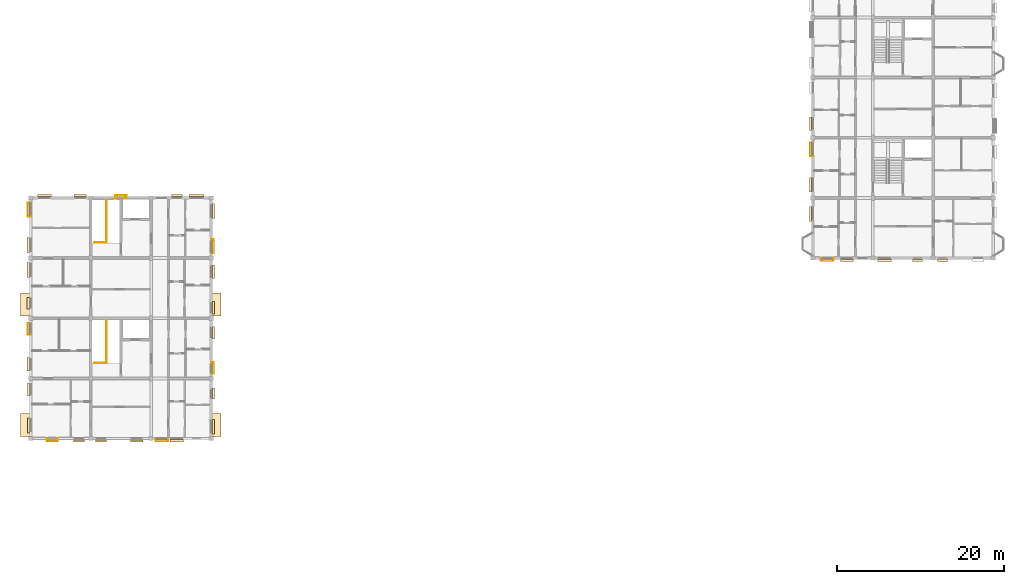
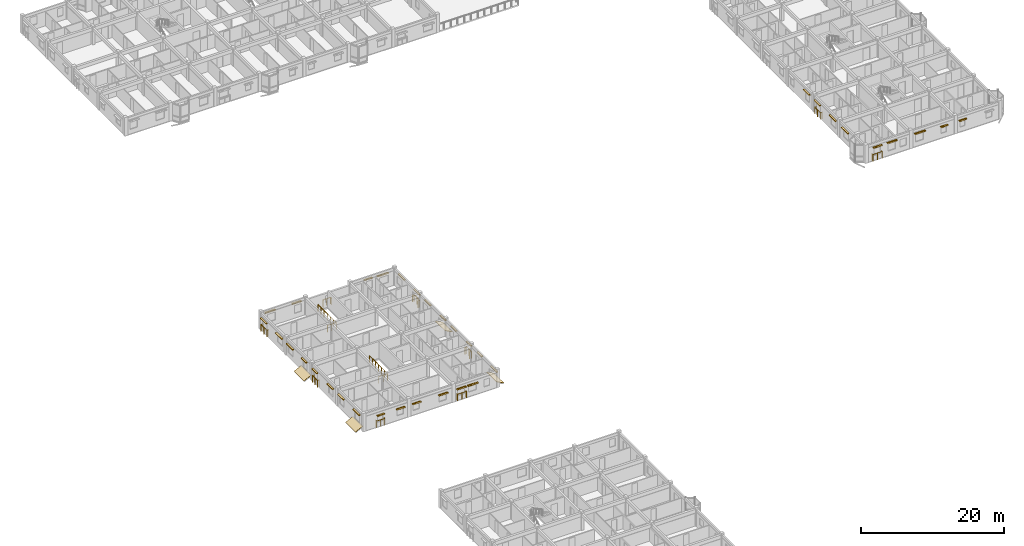
# One storey, part 60 of 64: 39 coverings, 11 railings.
"""IFC4 building model written with IfcOpenShell, lengths in metres."""

from ifc_helpers import new_model, si_unit, direction, frame, origin, origin_2d, place, context, subcontext, project, spatial, polyline, rectangle, circle, outline, extrude, material, layer, layer_set, type_object, element, save


model = new_model("IFC4")

# Units and contexts
model_context = context("Model", 3, precision=1e-05, world=origin(), true_north=direction((0.0, 1.0)))
body_context = subcontext(model_context, "Body", "Model", "MODEL_VIEW")
ifc_project = project(units=[si_unit("LENGTHUNIT", "METRE"), si_unit("AREAUNIT", "SQUARE_METRE"), si_unit("VOLUMEUNIT", "CUBIC_METRE"), si_unit("PLANEANGLEUNIT", "RADIAN"), si_unit("MASSUNIT", "GRAM", prefix="KILO"), si_unit("THERMODYNAMICTEMPERATUREUNIT", "KELVIN"), si_unit("POWERUNIT", "WATT")], contexts=[model_context])

# Site, building, storey
site_placement = place(None, origin())
site = spatial("IfcSite", under=ifc_project, at=site_placement, CompositionType="ELEMENT")
building_placement = place(site_placement, origin())
building = spatial("IfcBuilding", under=site, at=building_placement, Name="Tavuni Mirador Residences", CompositionType="ELEMENT")
storey_placement = place(building_placement, frame((0.0, 0.0, 26.550048828125)))
storey = spatial("IfcBuildingStorey", under=building, at=storey_placement, Name="L08", CompositionType="ELEMENT", Elevation=26.550048828125)

# Coverings
ifc_material_1 = material(Name="Natural coral limestone", Category="masonry")
ifc_layer_1 = layer(ifc_material_1, 0.054931640625, Name="Natural coral limestone", Category="masonry")
ifc_layer_set_1 = layer_set([ifc_layer_1], Name="Natural coral limestone")
covering_type_1 = type_object("IfcCoveringType", Name="CVT-CLAD-CORAL", PredefinedType="CLADDING", material=ifc_layer_set_1)
covering_1_placement = place(storey_placement, frame((6.18505859375, 64.5205078125, 1.955078125), z_axis=(0.0, 0.0, 1.0), x_axis=(1.0, 0.0, 0.0)))
element("IfcCovering", 1, at=covering_1_placement, inside=storey, type_object=covering_type_1, Name="HOOD-0447", PredefinedType="CLADDING", context=body_context, shape_type="SweptSolid", body=[
    extrude(rectangle(XDim=1.18994140625, YDim=0.25, at=origin_2d()), origin(), (0.0, 0.0, 1.0), 0.14990234375),
])
for number, where, z_axis, x_axis, name in (
    (2, (9.39501953125, 64.5205078125, 1.955078125), (0.0, 0.0, 1.0), (1.0, 0.0, 0.0), "HOOD-0448"),
    (3, (12.0, 64.525390625, 1.955078125), (0.0, 0.0, 1.0), (1.0, 0.0, 0.0), "HOOD-0450"),
):
    element("IfcCovering", number, at=place(storey_placement, frame(where, z_axis=z_axis, x_axis=x_axis)), inside=storey, type_object=covering_type_1, Name=name, PredefinedType="CLADDING", context=body_context, shape_type="SweptSolid", body=[
        extrude(rectangle(XDim=1.340087890625, YDim=0.25, at=origin_2d()), origin(), (0.0, 0.0, 1.0), 0.14990234375),
    ])
for number, where, z_axis, x_axis, name in (
    (4, (16.280029296875, 64.525390625, 1.955078125), (0.0, 0.0, 1.0), (1.0, 0.0, 0.0), "HOOD-0451"),
    (5, (19.2451171875, 64.532958984375, 1.955078125), (0.0, 0.0, 1.0), (1.0, 0.0, 0.0), "HOOD-0453"),
):
    element("IfcCovering", number, at=place(storey_placement, frame(where, z_axis=z_axis, x_axis=x_axis)), inside=storey, type_object=covering_type_1, Name=name, PredefinedType="CLADDING", context=body_context, shape_type="SweptSolid", body=[
        extrude(rectangle(XDim=1.5, YDim=0.25, at=origin_2d()), origin(), (0.0, 0.0, 1.0), 0.14990234375),
    ])
covering_2_placement = place(storey_placement, frame((21.070068359375, 64.532958984375, 1.955078125), z_axis=(0.0, 0.0, 1.0), x_axis=(1.0, 0.0, 0.0)))
element("IfcCovering", 6, at=covering_2_placement, inside=storey, type_object=covering_type_1, Name="HOOD-0454", PredefinedType="CLADDING", context=body_context, shape_type="SweptSolid", body=[
    extrude(rectangle(XDim=1.659912109375, YDim=0.25, at=origin_2d()), origin(), (0.0, 0.0, 1.0), 0.14990234375),
])
covering_3_placement = place(storey_placement, frame((25.4794921875, 66.199951171875, 1.955078125), z_axis=(0.0, 0.0, 1.0), x_axis=(0.0, 1.0, 0.0)))
element("IfcCovering", 7, at=covering_3_placement, inside=storey, type_object=covering_type_1, Name="HOOD-0456", PredefinedType="CLADDING", context=body_context, shape_type="SweptSolid", body=[
    extrude(rectangle(XDim=1.739990234375, YDim=0.25, at=origin_2d()), origin(), (0.0, 0.0, 1.0), 0.14990234375),
])
for number, where, z_axis, x_axis, name in (
    (8, (25.4794921875, 70.179931640625, 2.06494140625), (0.0, 0.0, 1.0), (0.0, 1.0, 0.0), "HOOD-0457"),
    (9, (25.474609375, 73.179931640625, 2.06494140625), (0.0, 0.0, 1.0), (0.0, 1.0, 0.0), "HOOD-0459"),
):
    element("IfcCovering", number, at=place(storey_placement, frame(where, z_axis=z_axis, x_axis=x_axis)), inside=storey, type_object=covering_type_1, Name=name, PredefinedType="CLADDING", context=body_context, shape_type="SweptSolid", body=[
        extrude(rectangle(XDim=1.300048828125, YDim=0.25, at=origin_2d()), origin(), (0.0, 0.0, 1.0), 0.14990234375),
    ])
for number, where, z_axis, x_axis, name in (
    (10, (25.474609375, 77.4599609375, 2.06494140625), (0.0, 0.0, 1.0), (0.0, 1.0, 0.0), "HOOD-0460"),
    (11, (25.467041015625, 80.4599609375, 2.06494140625), (0.0, 0.0, 1.0), (0.0, 1.0, 0.0), "HOOD-0462"),
):
    element("IfcCovering", number, at=place(storey_placement, frame(where, z_axis=z_axis, x_axis=x_axis)), inside=storey, type_object=covering_type_1, Name=name, PredefinedType="CLADDING", context=body_context, shape_type="SweptSolid", body=[
        extrude(rectangle(XDim=1.4599609375, YDim=0.25, at=origin_2d()), origin(), (0.0, 0.0, 1.0), 0.14990234375),
    ])
for number, where, z_axis, x_axis, name in (
    (12, (25.467041015625, 84.739990234375, 2.06494140625), (0.0, 0.0, 1.0), (0.0, 1.0, 0.0), "HOOD-0463"),
    (13, (25.45947265625, 87.739990234375, 2.06494140625), (0.0, 0.0, 1.0), (0.0, 1.0, 0.0), "HOOD-0465"),
):
    element("IfcCovering", number, at=place(storey_placement, frame(where, z_axis=z_axis, x_axis=x_axis)), inside=storey, type_object=covering_type_1, Name=name, PredefinedType="CLADDING", context=body_context, shape_type="SweptSolid", body=[
        extrude(rectangle(XDim=1.6201171875, YDim=0.25, at=origin_2d()), origin(), (0.0, 0.0, 1.0), 0.14990234375),
    ])
for number, where, z_axis, x_axis, name in (
    (14, (25.45947265625, 92.02001953125, 2.06494140625), (0.0, 0.0, 1.0), (0.0, 1.0, 0.0), "HOOD-0466"),
    (15, (23.445068359375, 93.866943359375, 2.06494140625), (0.0, 0.0, 1.0), (-1.0, 0.0, 0.0), "HOOD-0468"),
):
    element("IfcCovering", number, at=place(storey_placement, frame(where, z_axis=z_axis, x_axis=x_axis)), inside=storey, type_object=covering_type_1, Name=name, PredefinedType="CLADDING", context=body_context, shape_type="SweptSolid", body=[
        extrude(rectangle(XDim=1.780029296875, YDim=0.25, at=origin_2d()), origin(), (0.0, 0.0, 1.0), 0.14990234375),
    ])
covering_4_placement = place(storey_placement, frame((21.090087890625, 93.866943359375, 2.1650390625), z_axis=(0.0, 0.0, 1.0), x_axis=(-1.0, 0.0, 0.0)))
element("IfcCovering", 16, at=covering_4_placement, inside=storey, type_object=covering_type_1, Name="HOOD-0469", PredefinedType="CLADDING", context=body_context, shape_type="SweptSolid", body=[
    extrude(rectangle(XDim=1.320068359375, YDim=0.25, at=origin_2d()), origin(), (0.0, 0.0, 1.0), 0.14990234375),
])
covering_5_placement = place(storey_placement, frame((9.530029296875, 93.87939453125, 2.1650390625), z_axis=(0.0, 0.0, 1.0), x_axis=(-1.0, 0.0, 0.0)))
element("IfcCovering", 17, at=covering_5_placement, inside=storey, type_object=covering_type_1, Name="HOOD-0472", PredefinedType="CLADDING", context=body_context, shape_type="SweptSolid", body=[
    extrude(rectangle(XDim=1.47998046875, YDim=0.25, at=origin_2d()), origin(), (0.0, 0.0, 1.0), 0.14990234375),
])
for number, where, z_axis, x_axis, name in (
    (18, (5.25, 93.87939453125, 2.1650390625), (0.0, 0.0, 1.0), (-1.0, 0.0, 0.0), "HOOD-0473"),
    (19, (3.305419921875, 92.25, 2.1650390625), (0.0, 0.0, 1.0), (0.0, -1.0, 0.0), "HOOD-0475"),
):
    element("IfcCovering", number, at=place(storey_placement, frame(where, z_axis=z_axis, x_axis=x_axis)), inside=storey, type_object=covering_type_1, Name=name, PredefinedType="CLADDING", context=body_context, shape_type="SweptSolid", body=[
        extrude(rectangle(XDim=1.639892578125, YDim=0.25, at=origin_2d()), origin(), (0.0, 0.0, 1.0), 0.14990234375),
    ])
for number, where, z_axis, x_axis, name in (
    (20, (3.305419921875, 87.969970703125, 2.1650390625), (0.0, 0.0, 1.0), (0.0, -1.0, 0.0), "HOOD-0476"),
    (21, (3.305419921875, 84.969970703125, 2.1650390625), (0.0, 0.0, 1.0), (0.0, -1.0, 0.0), "HOOD-0478"),
):
    element("IfcCovering", number, at=place(storey_placement, frame(where, z_axis=z_axis, x_axis=x_axis)), inside=storey, type_object=covering_type_1, Name=name, PredefinedType="CLADDING", context=body_context, shape_type="SweptSolid", body=[
        extrude(rectangle(XDim=1.800048828125, YDim=0.25, at=origin_2d()), origin(), (0.0, 0.0, 1.0), 0.14990234375),
    ])
for number, where, z_axis, x_axis, name in (
    (22, (3.305419921875, 80.97509765625, 2.2451171875), (0.0, 0.0, 1.0), (0.0, -1.0, 0.0), "HOOD-0479"),
    (23, (3.305419921875, 77.97509765625, 2.2451171875), (0.0, 0.0, 1.0), (0.0, -1.0, 0.0), "HOOD-0481"),
):
    element("IfcCovering", number, at=place(storey_placement, frame(where, z_axis=z_axis, x_axis=x_axis)), inside=storey, type_object=covering_type_1, Name=name, PredefinedType="CLADDING", context=body_context, shape_type="SweptSolid", body=[
        extrude(rectangle(XDim=1.389892578125, YDim=0.25, at=origin_2d()), origin(), (0.0, 0.0, 1.0), 0.14990234375),
    ])
for number, where, z_axis, x_axis, name in (
    (24, (3.305419921875, 73.675048828125, 2.2451171875), (0.0, 0.0, 1.0), (0.0, -1.0, 0.0), "HOOD-0482"),
    (25, (3.320556640625, 70.675048828125, 2.2451171875), (0.0, 0.0, 1.0), (0.0, -1.0, 0.0), "HOOD-0484"),
):
    element("IfcCovering", number, at=place(storey_placement, frame(where, z_axis=z_axis, x_axis=x_axis)), inside=storey, type_object=covering_type_1, Name=name, PredefinedType="CLADDING", context=body_context, shape_type="SweptSolid", body=[
        extrude(rectangle(XDim=1.590087890625, YDim=0.25, at=origin_2d()), origin(), (0.0, 0.0, 1.0), 0.14990234375),
    ])
covering_6_placement = place(storey_placement, frame((3.320556640625, 66.375, 2.2451171875), z_axis=(0.0, 0.0, 1.0), x_axis=(0.0, -1.0, 0.0)))
element("IfcCovering", 26, at=covering_6_placement, inside=storey, type_object=covering_type_1, Name="HOOD-0485", PredefinedType="CLADDING", context=body_context, shape_type="SweptSolid", body=[
    extrude(rectangle(XDim=1.7900390625, YDim=0.25, at=origin_2d()), origin(), (0.0, 0.0, 1.0), 0.14990234375),
])
covering_7_placement = place(storey_placement, frame((98.93505859375, 86.12060546875, 2.2451171875), z_axis=(0.0, 0.0, 1.0), x_axis=(1.0, 0.0, 0.0)))
element("IfcCovering", 27, at=covering_7_placement, inside=storey, type_object=covering_type_1, Name="HOOD-1038", PredefinedType="CLADDING", context=body_context, shape_type="SweptSolid", body=[
    extrude(rectangle(XDim=1.389892578125, YDim=0.25, at=origin_2d()), origin(), (0.0, 0.0, 1.0), 0.14990234375),
])
covering_8_placement = place(storey_placement, frame((101.2900390625, 86.12060546875, 2.2451171875), z_axis=(0.0, 0.0, 1.0), x_axis=(1.0, 0.0, 0.0)))
element("IfcCovering", 28, at=covering_8_placement, inside=storey, type_object=covering_type_1, Name="HOOD-1039", PredefinedType="CLADDING", context=body_context, shape_type="SweptSolid", body=[
    extrude(rectangle(XDim=1.590087890625, YDim=0.25, at=origin_2d()), origin(), (0.0, 0.0, 1.0), 0.14990234375),
])
covering_9_placement = place(storey_placement, frame((105.77490234375, 86.12548828125, 2.2451171875), z_axis=(0.0, 0.0, 1.0), x_axis=(1.0, 0.0, 0.0)))
element("IfcCovering", 29, at=covering_9_placement, inside=storey, type_object=covering_type_1, Name="HOOD-1040", PredefinedType="CLADDING", context=body_context, shape_type="SweptSolid", body=[
    extrude(rectangle(XDim=1.68994140625, YDim=0.25, at=origin_2d()), origin(), (0.0, 0.0, 1.0), 0.14990234375),
])
for number, where, z_axis, x_axis, name in (
    (30, (109.72509765625, 86.12548828125, 1.955078125), (0.0, 0.0, 1.0), (1.0, 0.0, 0.0), "HOOD-1041"),
    (31, (112.72509765625, 86.133056640625, 1.955078125), (0.0, 0.0, 1.0), (1.0, 0.0, 0.0), "HOOD-1042"),
):
    element("IfcCovering", number, at=place(storey_placement, frame(where, z_axis=z_axis, x_axis=x_axis)), inside=storey, type_object=covering_type_1, Name=name, PredefinedType="CLADDING", context=body_context, shape_type="SweptSolid", body=[
        extrude(rectangle(XDim=1.18994140625, YDim=0.25, at=origin_2d()), origin(), (0.0, 0.0, 1.0), 0.14990234375),
    ])
for number, where, z_axis, x_axis, name in (
    (32, (96.93310546875, 102.47509765625, 2.2451171875), (0.0, 0.0, 1.0), (0.0, -1.0, 0.0), "HOOD-1067"),
    (33, (96.925537109375, 99.47509765625, 2.2451171875), (0.0, 0.0, 1.0), (0.0, -1.0, 0.0), "HOOD-1068"),
):
    element("IfcCovering", number, at=place(storey_placement, frame(where, z_axis=z_axis, x_axis=x_axis)), inside=storey, type_object=covering_type_1, Name=name, PredefinedType="CLADDING", context=body_context, shape_type="SweptSolid", body=[
        extrude(rectangle(XDim=1.590087890625, YDim=0.25, at=origin_2d()), origin(), (0.0, 0.0, 1.0), 0.14990234375),
    ])
covering_10_placement = place(storey_placement, frame((96.925537109375, 95.175048828125, 2.2451171875), z_axis=(0.0, 0.0, 1.0), x_axis=(0.0, -1.0, 0.0)))
element("IfcCovering", 34, at=covering_10_placement, inside=storey, type_object=covering_type_1, Name="HOOD-1069", PredefinedType="CLADDING", context=body_context, shape_type="SweptSolid", body=[
    extrude(rectangle(XDim=1.7900390625, YDim=0.25, at=origin_2d()), origin(), (0.0, 0.0, 1.0), 0.14990234375),
])
covering_11_placement = place(storey_placement, frame((96.91552734375, 91.68994140625, 2.240234375), z_axis=(0.0, 0.0, 1.0), x_axis=(0.0, -1.0, 0.0)))
element("IfcCovering", 35, at=covering_11_placement, inside=storey, type_object=covering_type_1, Name="HOOD-1070", PredefinedType="CLADDING", context=body_context, shape_type="SweptSolid", body=[
    extrude(rectangle(XDim=1.81005859375, YDim=0.260009765625, at=origin_2d()), origin(), (0.0, 0.0, 1.0), 0.159912109375),
])
ifc_material_2 = material(Name="Glazed ceramic roof tile", Category="masonry")
ifc_layer_2 = layer(ifc_material_2, 0.044921875, Name="Glazed ceramic roof tile", Category="masonry")
ifc_layer_set_2 = layer_set([ifc_layer_2], Name="Glazed ceramic roof tile")
covering_type_2 = type_object("IfcCoveringType", Name="CVT-ROOF-TILE", PredefinedType="ROOFING", material=ifc_layer_set_2)
for number, where, z_axis, x_axis, name in (
    (36, (3.60009765625, 65.050048828125, 0.6650390625), (-0.459029561359, 0.0, 0.88842099356), (0.0, 1.0, 0.0), "COV-RF-MIR-B-W1"),
    (37, (3.60009765625, 79.449951171875, 0.6650390625), (-0.459029561359, 0.0, 0.88842099356), (0.0, 1.0, 0.0), "COV-RF-MIR-B-W2"),
):
    element("IfcCovering", number, at=place(storey_placement, frame(where, z_axis=z_axis, x_axis=x_axis)), inside=storey, type_object=covering_type_2, Name=name, PredefinedType="ROOFING", context=body_context, shape_type="SweptSolid", body=[
        extrude(outline(polyline([(0.0, 0.0), (2.77001953125, 0.0), (2.77001953125, 1.3509308325668945), (0.0, 1.3509308325668945), (0.0, 0.0)])), origin(), (0.0, 0.0, -1.0), 0.044921875),
    ])
for number, where, z_axis, x_axis, name in (
    (38, (25.199951171875, 65.050048828125, 0.6650390625), (0.45910327143, 0.0, 0.88838290515), (0.0, 1.0, 0.0), "COV-RF-MIR-B-E1"),
    (39, (25.199951171875, 79.449951171875, 0.6650390625), (0.45910327143, 0.0, 0.88838290515), (0.0, 1.0, 0.0), "COV-RF-MIR-B-E2"),
):
    element("IfcCovering", number, at=place(storey_placement, frame(where, z_axis=z_axis, x_axis=x_axis)), inside=storey, type_object=covering_type_2, Name=name, PredefinedType="ROOFING", context=body_context, shape_type="SweptSolid", body=[
        extrude(outline(polyline([(0.0, 0.0), (2.77001953125, 0.0), (2.77001953125, -1.3507139375593544), (0.0, -1.3507139375593544), (0.0, 0.0)])), origin(), (0.0, 0.0, -1.0), 0.044921875),
    ])

# Railings
ifc_material_3 = material(Name="Structural steel S355", Category="steel")
railing_type_1 = type_object("IfcRailingType", Name="RT-BL1150", PredefinedType="BALUSTRADE", material=ifc_material_3)
railing_1_placement = place(storey_placement, frame((5.5400390625, 64.800048828125, 0.0400390625)))
element("IfcRailing", 40, at=railing_1_placement, inside=storey, type_object=railing_type_1, Name="BALC-BLK-B-L08-S00", PredefinedType="BALUSTRADE", context=body_context, shape_type="SweptSolid", body=[
    extrude(circle(Radius=0.02392578125, at=origin_2d()), frame((0.0, 0.0, 1.1259765625), z_axis=(0.0, -1.0, 0.0), x_axis=(1.0, 0.0, 0.0)), (0.0, 0.0, 1.0), 0.297607421875),
    extrude(circle(Radius=0.02392578125, at=origin_2d()), frame((0.0, -0.297607421875, 1.1259765625), z_axis=(1.0, 0.0, 0.0), x_axis=(0.0, 1.0, 0.0)), (0.0, 0.0, 1.0), 1.2900390625),
    extrude(circle(Radius=0.02392578125, at=origin_2d()), frame((1.2900390625, -0.297607421875, 1.1259765625), z_axis=(0.0, 1.0, 0.0), x_axis=(-1.0, 0.0, 0.0)), (0.0, 0.0, 1.0), 0.297607421875),
    extrude(circle(Radius=0.02099609375, at=origin_2d()), origin(), (0.0, 0.0, 1.0), 1.101806640625),
    extrude(circle(Radius=0.02099609375, at=origin_2d()), frame((0.0, -0.297607421875, 0.0)), (0.0, 0.0, 1.0), 1.101806640625),
    extrude(circle(Radius=0.02099609375, at=origin_2d()), frame((0.64501953125, -0.297607421875, 0.0)), (0.0, 0.0, 1.0), 1.101806640625),
    extrude(circle(Radius=0.02099609375, at=origin_2d()), frame((1.2900390625, -0.297607421875, 0.0)), (0.0, 0.0, 1.0), 1.101806640625),
    extrude(circle(Radius=0.02099609375, at=origin_2d()), frame((1.2900390625, 0.0, 0.0)), (0.0, 0.0, 1.0), 1.101806640625),
])
railing_2_placement = place(storey_placement, frame((18.60009765625, 64.800048828125, 0.0400390625)))
element("IfcRailing", 41, at=railing_2_placement, inside=storey, type_object=railing_type_1, Name="BALC-BLK-B-L08-S02", PredefinedType="BALUSTRADE", context=body_context, shape_type="SweptSolid", body=[
    extrude(circle(Radius=0.02392578125, at=origin_2d()), frame((0.0, 0.0, 1.1259765625), z_axis=(0.0, -1.0, 0.0), x_axis=(1.0, 0.0, 0.0)), (0.0, 0.0, 1.0), 0.28515625),
    extrude(circle(Radius=0.02392578125, at=origin_2d()), frame((0.0, -0.28515625, 1.1259765625), z_axis=(1.0, 0.0, 0.0), x_axis=(0.0, 1.0, 0.0)), (0.0, 0.0, 1.0), 1.44482421875),
    extrude(circle(Radius=0.02392578125, at=origin_2d()), frame((1.44482421875, -0.28515625, 1.1259765625), z_axis=(0.0, 1.0, 0.0), x_axis=(-1.0, 0.0, 0.0)), (0.0, 0.0, 1.0), 0.28515625),
    extrude(circle(Radius=0.02099609375, at=origin_2d()), origin(), (0.0, 0.0, 1.0), 1.101806640625),
    extrude(circle(Radius=0.02099609375, at=origin_2d()), frame((0.0, -0.28515625, 0.0)), (0.0, 0.0, 1.0), 1.101806640625),
    extrude(circle(Radius=0.02099609375, at=origin_2d()), frame((0.722412109375, -0.28515625, 0.0)), (0.0, 0.0, 1.0), 1.101806640625),
    extrude(circle(Radius=0.02099609375, at=origin_2d()), frame((1.44482421875, -0.28515625, 0.0)), (0.0, 0.0, 1.0), 1.101806640625),
    extrude(circle(Radius=0.02099609375, at=origin_2d()), frame((1.44482421875, 0.0, 0.0)), (0.0, 0.0, 1.0), 1.101806640625),
])
railing_3_placement = place(storey_placement, frame((25.199951171875, 72.60009765625, 0.0400390625)))
element("IfcRailing", 42, at=railing_3_placement, inside=storey, type_object=railing_type_1, Name="BALC-BLK-B-L08-E01", PredefinedType="BALUSTRADE", context=body_context, shape_type="SweptSolid", body=[
    extrude(circle(Radius=0.02392578125, at=origin_2d()), frame((0.0, 0.0, 1.1259765625), z_axis=(1.0, 0.0, 0.0), x_axis=(0.0, 1.0, 0.0)), (0.0, 0.0, 1.0), 0.29248046875),
    extrude(circle(Radius=0.02392578125, at=origin_2d()), frame((0.29248046875, 0.0, 1.1259765625), z_axis=(0.0, 1.0, 0.0), x_axis=(-1.0, 0.0, 0.0)), (0.0, 0.0, 1.0), 1.27978515625),
    extrude(circle(Radius=0.02392578125, at=origin_2d()), frame((0.29248046875, 1.27978515625, 1.1259765625), z_axis=(-1.0, 0.0, 0.0), x_axis=(0.0, -1.0, 0.0)), (0.0, 0.0, 1.0), 0.29248046875),
    extrude(circle(Radius=0.02099609375, at=origin_2d()), origin(), (0.0, 0.0, 1.0), 1.101806640625),
    extrude(circle(Radius=0.02099609375, at=origin_2d()), frame((0.29248046875, 0.0, 0.0)), (0.0, 0.0, 1.0), 1.101806640625),
    extrude(circle(Radius=0.02099609375, at=origin_2d()), frame((0.29248046875, 0.639892578125, 0.0)), (0.0, 0.0, 1.0), 1.101806640625),
    extrude(circle(Radius=0.02099609375, at=origin_2d()), frame((0.29248046875, 1.27978515625, 0.0)), (0.0, 0.0, 1.0), 1.101806640625),
    extrude(circle(Radius=0.02099609375, at=origin_2d()), frame((0.0, 1.27978515625, 0.0)), (0.0, 0.0, 1.0), 1.101806640625),
])
railing_4_placement = place(storey_placement, frame((25.199951171875, 87.0, 0.0400390625)))
element("IfcRailing", 43, at=railing_4_placement, inside=storey, type_object=railing_type_1, Name="BALC-BLK-B-L08-E03", PredefinedType="BALUSTRADE", context=body_context, shape_type="SweptSolid", body=[
    extrude(circle(Radius=0.02392578125, at=origin_2d()), frame((0.0, 0.0, 1.1259765625), z_axis=(1.0, 0.0, 0.0), x_axis=(0.0, 1.0, 0.0)), (0.0, 0.0, 1.0), 0.277587890625),
    extrude(circle(Radius=0.02392578125, at=origin_2d()), frame((0.277587890625, 0.0, 1.1259765625), z_axis=(0.0, 1.0, 0.0), x_axis=(-1.0, 0.0, 0.0)), (0.0, 0.0, 1.0), 1.60009765625),
    extrude(circle(Radius=0.02392578125, at=origin_2d()), frame((0.277587890625, 1.60009765625, 1.1259765625), z_axis=(-1.0, 0.0, 0.0), x_axis=(0.0, -1.0, 0.0)), (0.0, 0.0, 1.0), 0.277587890625),
    extrude(circle(Radius=0.02099609375, at=origin_2d()), origin(), (0.0, 0.0, 1.0), 1.101806640625),
    extrude(circle(Radius=0.02099609375, at=origin_2d()), frame((0.277587890625, 0.0, 0.0)), (0.0, 0.0, 1.0), 1.101806640625),
    extrude(circle(Radius=0.02099609375, at=origin_2d()), frame((0.277587890625, 0.800048828125, 0.0)), (0.0, 0.0, 1.0), 1.101806640625),
    extrude(circle(Radius=0.02099609375, at=origin_2d()), frame((0.277587890625, 1.60009765625, 0.0)), (0.0, 0.0, 1.0), 1.101806640625),
    extrude(circle(Radius=0.02099609375, at=origin_2d()), frame((0.0, 1.60009765625, 0.0)), (0.0, 0.0, 1.0), 1.101806640625),
])
railing_5_placement = place(storey_placement, frame((15.044921875, 93.60009765625, 0.0400390625)))
element("IfcRailing", 44, at=railing_5_placement, inside=storey, type_object=railing_type_1, Name="BALC-BLK-B-L08-N01", PredefinedType="BALUSTRADE", context=body_context, shape_type="SweptSolid", body=[
    extrude(circle(Radius=0.02392578125, at=origin_2d()), frame((0.0, 0.0, 1.1259765625), z_axis=(0.0, 1.0, 0.0), x_axis=(-1.0, 0.0, 0.0)), (0.0, 0.0, 1.0), 0.29248046875),
    extrude(circle(Radius=0.02392578125, at=origin_2d()), frame((0.0, 0.29248046875, 1.1259765625), z_axis=(-1.0, 0.0, 0.0), x_axis=(0.0, -1.0, 0.0)), (0.0, 0.0, 1.0), 1.2900390625),
    extrude(circle(Radius=0.02392578125, at=origin_2d()), frame((-1.2900390625, 0.29248046875, 1.1259765625), z_axis=(0.0, -1.0, 0.0), x_axis=(1.0, 0.0, 0.0)), (0.0, 0.0, 1.0), 0.29248046875),
    extrude(circle(Radius=0.02099609375, at=origin_2d()), origin(), (0.0, 0.0, 1.0), 1.101806640625),
    extrude(circle(Radius=0.02099609375, at=origin_2d()), frame((0.0, 0.29248046875, 0.0)), (0.0, 0.0, 1.0), 1.101806640625),
    extrude(circle(Radius=0.02099609375, at=origin_2d()), frame((-0.64501953125, 0.29248046875, 0.0)), (0.0, 0.0, 1.0), 1.101806640625),
    extrude(circle(Radius=0.02099609375, at=origin_2d()), frame((-1.2900390625, 0.29248046875, 0.0)), (0.0, 0.0, 1.0), 1.101806640625),
    extrude(circle(Radius=0.02099609375, at=origin_2d()), frame((-1.2900390625, 0.0, 0.0)), (0.0, 0.0, 1.0), 1.101806640625),
])
railing_6_placement = place(storey_placement, frame((3.60009765625, 93.0, 0.0400390625)))
element("IfcRailing", 45, at=railing_6_placement, inside=storey, type_object=railing_type_1, Name="BALC-BLK-B-L08-W03", PredefinedType="BALUSTRADE", context=body_context, shape_type="SweptSolid", body=[
    extrude(circle(Radius=0.02392578125, at=origin_2d()), frame((0.0, 0.0, 1.1259765625), z_axis=(-1.0, 0.0, 0.0), x_axis=(0.0, -1.0, 0.0)), (0.0, 0.0, 1.0), 0.3125),
    extrude(circle(Radius=0.02392578125, at=origin_2d()), frame((-0.3125, 0.0, 1.1259765625), z_axis=(0.0, -1.0, 0.0), x_axis=(1.0, 0.0, 0.0)), (0.0, 0.0, 1.0), 1.6201171875),
    extrude(circle(Radius=0.02392578125, at=origin_2d()), frame((-0.3125, -1.6201171875, 1.1259765625), z_axis=(1.0, 0.0, 0.0), x_axis=(0.0, 1.0, 0.0)), (0.0, 0.0, 1.0), 0.3125),
    extrude(circle(Radius=0.02099609375, at=origin_2d()), origin(), (0.0, 0.0, 1.0), 1.101806640625),
    extrude(circle(Radius=0.02099609375, at=origin_2d()), frame((-0.3125, 0.0, 0.0)), (0.0, 0.0, 1.0), 1.101806640625),
    extrude(circle(Radius=0.02099609375, at=origin_2d()), frame((-0.3125, -0.81005859375, 0.0)), (0.0, 0.0, 1.0), 1.101806640625),
    extrude(circle(Radius=0.02099609375, at=origin_2d()), frame((-0.3125, -1.6201171875, 0.0)), (0.0, 0.0, 1.0), 1.101806640625),
    extrude(circle(Radius=0.02099609375, at=origin_2d()), frame((0.0, -1.6201171875, 0.0)), (0.0, 0.0, 1.0), 1.101806640625),
])
railing_7_placement = place(storey_placement, frame((3.60009765625, 78.60009765625, 0.0400390625)))
element("IfcRailing", 46, at=railing_7_placement, inside=storey, type_object=railing_type_1, Name="BALC-BLK-B-L08-W01", PredefinedType="BALUSTRADE", context=body_context, shape_type="SweptSolid", body=[
    extrude(circle(Radius=0.02392578125, at=origin_2d()), frame((0.0, 0.0, 1.1259765625), z_axis=(-1.0, 0.0, 0.0), x_axis=(0.0, -1.0, 0.0)), (0.0, 0.0, 1.0), 0.3125),
    extrude(circle(Radius=0.02392578125, at=origin_2d()), frame((-0.3125, 0.0, 1.1259765625), z_axis=(0.0, -1.0, 0.0), x_axis=(1.0, 0.0, 0.0)), (0.0, 0.0, 1.0), 1.3701171875),
    extrude(circle(Radius=0.02392578125, at=origin_2d()), frame((-0.3125, -1.3701171875, 1.1259765625), z_axis=(1.0, 0.0, 0.0), x_axis=(0.0, 1.0, 0.0)), (0.0, 0.0, 1.0), 0.3125),
    extrude(circle(Radius=0.02099609375, at=origin_2d()), origin(), (0.0, 0.0, 1.0), 1.101806640625),
    extrude(circle(Radius=0.02099609375, at=origin_2d()), frame((-0.3125, 0.0, 0.0)), (0.0, 0.0, 1.0), 1.101806640625),
    extrude(circle(Radius=0.02099609375, at=origin_2d()), frame((-0.3125, -0.68505859375, 0.0)), (0.0, 0.0, 1.0), 1.101806640625),
    extrude(circle(Radius=0.02099609375, at=origin_2d()), frame((-0.3125, -1.3701171875, 0.0)), (0.0, 0.0, 1.0), 1.101806640625),
    extrude(circle(Radius=0.02099609375, at=origin_2d()), frame((0.0, -1.3701171875, 0.0)), (0.0, 0.0, 1.0), 1.101806640625),
])
railing_8_placement = place(storey_placement, frame((98.18994140625, 86.39990234375, 0.0400390625)))
element("IfcRailing", 47, at=railing_8_placement, inside=storey, type_object=railing_type_1, Name="BALC-BLK-D-L08-S00", PredefinedType="BALUSTRADE", context=body_context, shape_type="SweptSolid", body=[
    extrude(circle(Radius=0.02392578125, at=origin_2d()), frame((0.0, 0.0, 1.1259765625), z_axis=(0.0, -1.0, 0.0), x_axis=(1.0, 0.0, 0.0)), (0.0, 0.0, 1.0), 0.29736328125),
    extrude(circle(Radius=0.02392578125, at=origin_2d()), frame((0.0, -0.29736328125, 1.1259765625), z_axis=(1.0, 0.0, 0.0), x_axis=(0.0, 1.0, 0.0)), (0.0, 0.0, 1.0), 1.489990234375),
    extrude(circle(Radius=0.02392578125, at=origin_2d()), frame((1.489990234375, -0.29736328125, 1.1259765625), z_axis=(0.0, 1.0, 0.0), x_axis=(-1.0, 0.0, 0.0)), (0.0, 0.0, 1.0), 0.29736328125),
    extrude(circle(Radius=0.02099609375, at=origin_2d()), origin(), (0.0, 0.0, 1.0), 1.101806640625),
    extrude(circle(Radius=0.02099609375, at=origin_2d()), frame((0.0, -0.29736328125, 0.0)), (0.0, 0.0, 1.0), 1.101806640625),
    extrude(circle(Radius=0.02099609375, at=origin_2d()), frame((0.7451171875, -0.29736328125, 0.0)), (0.0, 0.0, 1.0), 1.101806640625),
    extrude(circle(Radius=0.02099609375, at=origin_2d()), frame((1.489990234375, -0.29736328125, 0.0)), (0.0, 0.0, 1.0), 1.101806640625),
    extrude(circle(Radius=0.02099609375, at=origin_2d()), frame((1.489990234375, 0.0, 0.0)), (0.0, 0.0, 1.0), 1.101806640625),
])
railing_9_placement = place(storey_placement, frame((97.199951171875, 100.199951171875, 0.0400390625)))
element("IfcRailing", 48, at=railing_9_placement, inside=storey, type_object=railing_type_1, Name="BALC-BLK-D-L08-W01", PredefinedType="BALUSTRADE", context=body_context, shape_type="SweptSolid", body=[
    extrude(circle(Radius=0.02392578125, at=origin_2d()), frame((0.0, 0.0, 1.1259765625), z_axis=(-1.0, 0.0, 0.0), x_axis=(0.0, -1.0, 0.0)), (0.0, 0.0, 1.0), 0.29248046875),
    extrude(circle(Radius=0.02392578125, at=origin_2d()), frame((-0.29248046875, 0.0, 1.1259765625), z_axis=(0.0, -1.0, 0.0), x_axis=(1.0, 0.0, 0.0)), (0.0, 0.0, 1.0), 1.570068359375),
    extrude(circle(Radius=0.02392578125, at=origin_2d()), frame((-0.29248046875, -1.570068359375, 1.1259765625), z_axis=(1.0, 0.0, 0.0), x_axis=(0.0, 1.0, 0.0)), (0.0, 0.0, 1.0), 0.29248046875),
    extrude(circle(Radius=0.02099609375, at=origin_2d()), origin(), (0.0, 0.0, 1.0), 1.101806640625),
    extrude(circle(Radius=0.02099609375, at=origin_2d()), frame((-0.29248046875, 0.0, 0.0)), (0.0, 0.0, 1.0), 1.101806640625),
    extrude(circle(Radius=0.02099609375, at=origin_2d()), frame((-0.29248046875, -0.78515625, 0.0)), (0.0, 0.0, 1.0), 1.101806640625),
    extrude(circle(Radius=0.02099609375, at=origin_2d()), frame((-0.29248046875, -1.570068359375, 0.0)), (0.0, 0.0, 1.0), 1.101806640625),
    extrude(circle(Radius=0.02099609375, at=origin_2d()), frame((0.0, -1.570068359375, 0.0)), (0.0, 0.0, 1.0), 1.101806640625),
])
railing_type_2 = type_object("IfcRailingType", Name="RT-GR1120", PredefinedType="GUARDRAIL", material=ifc_material_3)
railing_10_placement = place(storey_placement, frame((11.25, 73.840087890625, 0.0)))
element("IfcRailing", 49, at=railing_10_placement, inside=storey, type_object=railing_type_2, Name="GRD-TOP-ST3", PredefinedType="GUARDRAIL", context=body_context, shape_type="SweptSolid", body=[
    extrude(circle(Radius=0.02392578125, at=origin_2d()), frame((0.0, 0.0, 1.09619140625), z_axis=(1.0, 0.0, 0.0), x_axis=(0.0, 1.0, 0.0)), (0.0, 0.0, 1.0), 1.429931640625),
    extrude(circle(Radius=0.02392578125, at=origin_2d()), frame((1.429931640625, 0.0, 1.09619140625), z_axis=(0.0, 1.0, 0.0), x_axis=(-1.0, 0.0, 0.0)), (0.0, 0.0, 1.0), 5.059814453125),
    extrude(circle(Radius=0.02099609375, at=origin_2d()), origin(), (0.0, 0.0, 1.0), 1.072021484375),
    extrude(circle(Radius=0.02099609375, at=origin_2d()), frame((0.71484375, 0.0, 0.0)), (0.0, 0.0, 1.0), 1.072021484375),
    extrude(circle(Radius=0.02099609375, at=origin_2d()), frame((1.429931640625, 0.0, 0.0)), (0.0, 0.0, 1.0), 1.072021484375),
    extrude(circle(Radius=0.02099609375, at=origin_2d()), frame((1.429931640625, 0.84326171875, 0.0)), (0.0, 0.0, 1.0), 1.072021484375),
    extrude(circle(Radius=0.02099609375, at=origin_2d()), frame((1.429931640625, 1.6865234375, 0.0)), (0.0, 0.0, 1.0), 1.072021484375),
    extrude(circle(Radius=0.02099609375, at=origin_2d()), frame((1.429931640625, 2.52978515625, 0.0)), (0.0, 0.0, 1.0), 1.072021484375),
    extrude(circle(Radius=0.02099609375, at=origin_2d()), frame((1.429931640625, 3.373291015625, 0.0)), (0.0, 0.0, 1.0), 1.072021484375),
    extrude(circle(Radius=0.02099609375, at=origin_2d()), frame((1.429931640625, 4.216552734375, 0.0)), (0.0, 0.0, 1.0), 1.072021484375),
    extrude(circle(Radius=0.02099609375, at=origin_2d()), frame((1.429931640625, 5.059814453125, 0.0)), (0.0, 0.0, 1.0), 1.072021484375),
])
railing_11_placement = place(storey_placement, frame((11.25, 88.239990234375, 0.0)))
element("IfcRailing", 50, at=railing_11_placement, inside=storey, type_object=railing_type_2, Name="GRD-TOP-ST4", PredefinedType="GUARDRAIL", context=body_context, shape_type="SweptSolid", body=[
    extrude(circle(Radius=0.02392578125, at=origin_2d()), frame((0.0, 0.0, 1.09619140625), z_axis=(1.0, 0.0, 0.0), x_axis=(0.0, 1.0, 0.0)), (0.0, 0.0, 1.0), 1.429931640625),
    extrude(circle(Radius=0.02392578125, at=origin_2d()), frame((1.429931640625, 0.0, 1.09619140625), z_axis=(0.0, 1.0, 0.0), x_axis=(-1.0, 0.0, 0.0)), (0.0, 0.0, 1.0), 5.06005859375),
    extrude(circle(Radius=0.02099609375, at=origin_2d()), origin(), (0.0, 0.0, 1.0), 1.072021484375),
    extrude(circle(Radius=0.02099609375, at=origin_2d()), frame((0.71484375, 0.0, 0.0)), (0.0, 0.0, 1.0), 1.072021484375),
    extrude(circle(Radius=0.02099609375, at=origin_2d()), frame((1.429931640625, 0.0, 0.0)), (0.0, 0.0, 1.0), 1.072021484375),
    extrude(circle(Radius=0.02099609375, at=origin_2d()), frame((1.429931640625, 0.84326171875, 0.0)), (0.0, 0.0, 1.0), 1.072021484375),
    extrude(circle(Radius=0.02099609375, at=origin_2d()), frame((1.429931640625, 1.686767578125, 0.0)), (0.0, 0.0, 1.0), 1.072021484375),
    extrude(circle(Radius=0.02099609375, at=origin_2d()), frame((1.429931640625, 2.530029296875, 0.0)), (0.0, 0.0, 1.0), 1.072021484375),
    extrude(circle(Radius=0.02099609375, at=origin_2d()), frame((1.429931640625, 3.373291015625, 0.0)), (0.0, 0.0, 1.0), 1.072021484375),
    extrude(circle(Radius=0.02099609375, at=origin_2d()), frame((1.429931640625, 4.216796875, 0.0)), (0.0, 0.0, 1.0), 1.072021484375),
    extrude(circle(Radius=0.02099609375, at=origin_2d()), frame((1.429931640625, 5.06005859375, 0.0)), (0.0, 0.0, 1.0), 1.072021484375),
])

save(model, "model.ifc")
